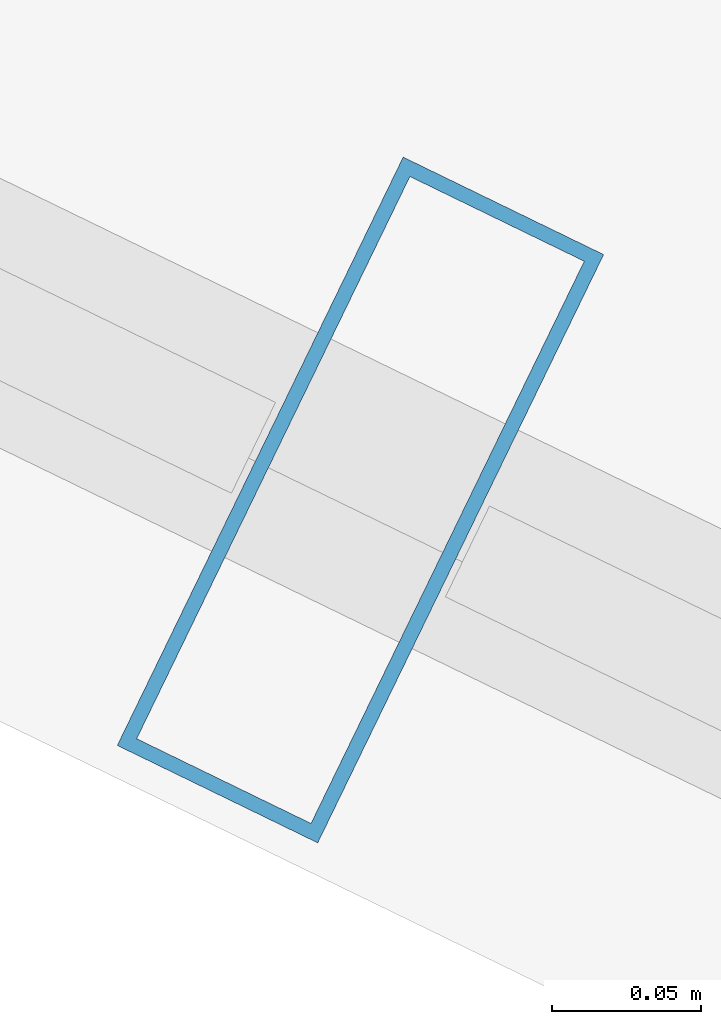
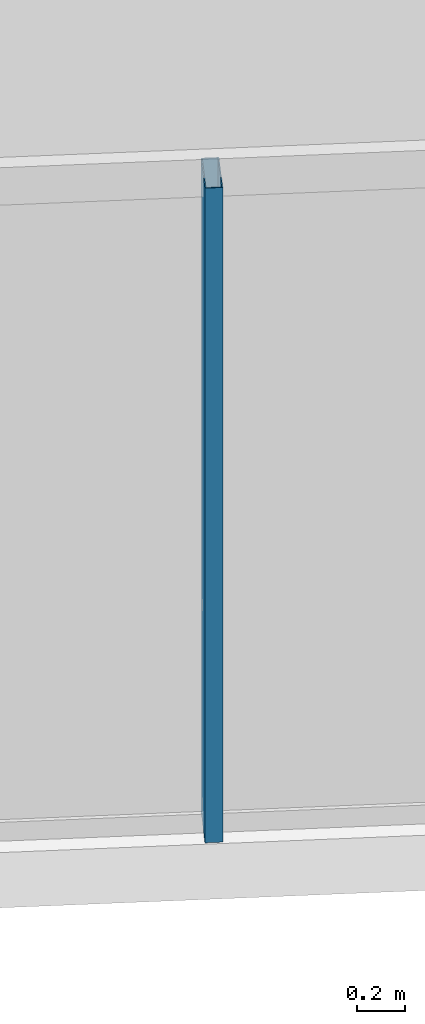
# One storey, part 2 of 20: 1 member, 1 element without a shape of its own.
"""IFC4 building model written with IfcOpenShell, lengths in metres."""

from ifc_helpers import new_model, si_unit, direction, frame, origin, origin_2d, place, context, subcontext, project, spatial, hollow_rectangle, extrude, material, layer, layer_set, material_profile, profile_set, type_object, element, aggregate, save


model = new_model("IFC4")

# Units and contexts
model_context = context("Model", 3, precision=1e-05, world=origin(), true_north=direction((0.0, 1.0)))
body_context = subcontext(model_context, "Body", "Model", "MODEL_VIEW")
ifc_project = project(units=[si_unit("LENGTHUNIT", "METRE"), si_unit("AREAUNIT", "SQUARE_METRE"), si_unit("VOLUMEUNIT", "CUBIC_METRE"), si_unit("PLANEANGLEUNIT", "RADIAN"), si_unit("MASSUNIT", "GRAM", prefix="KILO")], contexts=[model_context])

# Site, building, storey
site_placement = place(None, origin())
site = spatial("IfcSite", under=ifc_project, at=site_placement, CompositionType="ELEMENT")
building_placement = place(site_placement, origin())
building = spatial("IfcBuilding", under=site, at=building_placement, Name="Qarnah Convention Tower", CompositionType="ELEMENT")
storey_placement = place(building_placement, frame((0.0, 0.0, 195.0)))
storey = spatial("IfcBuildingStorey", under=building, at=storey_placement, Name="L52", CompositionType="ELEMENT", Elevation=195.0)

# Curtain wall, member
ifc_material_1 = material(Name="Tempered Low-E dark glass", Category="glass")
ifc_layer = layer(ifc_material_1, 0.174072265625)
ifc_layer_set = layer_set([ifc_layer], Name="Tempered Low-E dark glass")
curtain_wall_type = type_object("IfcCurtainWallType", Name="CWS-04", PredefinedType="NOTDEFINED", material=ifc_layer_set)
curtain_wall_placement = place(storey_placement, origin())
curtain_wall = element("IfcCurtainWall", 1, at=curtain_wall_placement, inside=storey, type_object=curtain_wall_type, Name="L52 unitised curtain wall CW-L52-F2", PredefinedType="NOTDEFINED")
ifc_material_2 = material(Name="Black anodised aluminium", Category="aluminium")
ifc_material_profile = material_profile(ifc_material_2, hollow_rectangle(XDim=0.074951171875, YDim=0.219970703125, WallThickness=0.0048828125, at=origin_2d()), Name="MUL-75X220")
ifc_profile_set = profile_set([ifc_material_profile], Name="Black anodised aluminium")
member_type = type_object("IfcMemberType", Name="MUL-T4", PredefinedType="MULLION", material=ifc_profile_set)
member_placement = place(storey_placement, frame((27.703125, 13.202880859375, 0.0), z_axis=(0.0, 0.0, 1.0), x_axis=(-0.899399056639, 0.437128513044, 0.0)))
member = element("IfcMember", 2, at=member_placement, type_object=member_type, Name="CW-L52-F2 mullion 4", PredefinedType="MULLION", context=body_context, shape_type="SweptSolid", body=[
    extrude(hollow_rectangle(XDim=0.074951171875, YDim=0.219970703125, WallThickness=0.0048828125, at=origin_2d()), origin(), (0.0, 0.0, 1.0), 3.320068359375),
])
aggregate(curtain_wall, [member])

save(model, "model.ifc")
